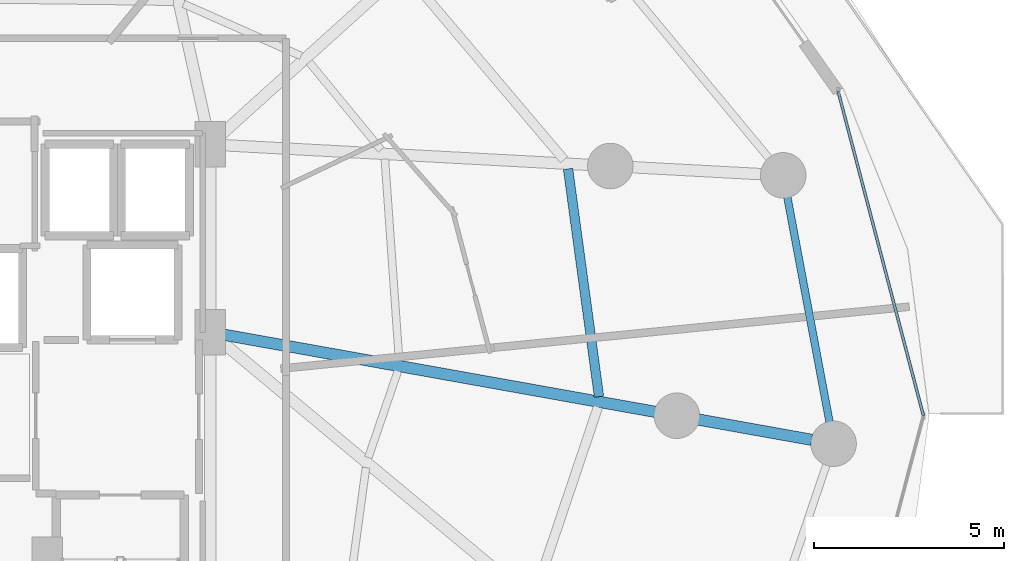
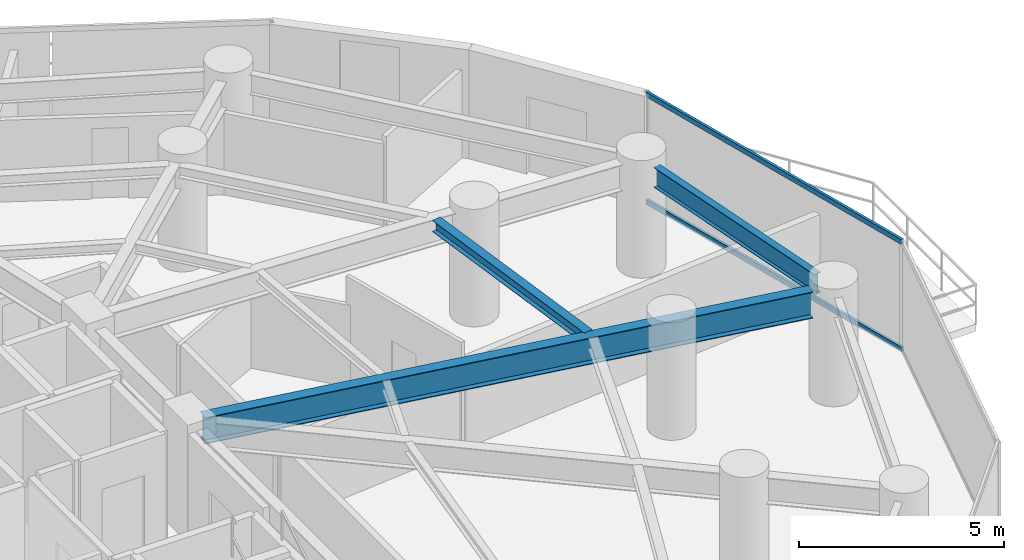
# One storey, part 14 of 30: 3 beams, 2 members, 1 element without a shape of its own.
"""IFC4 building model written with IfcOpenShell, lengths in metres."""

from ifc_helpers import new_model, si_unit, direction, frame, origin, origin_2d, place, context, subcontext, project, spatial, hollow_rectangle, i_section, extrude, material, material_profile, profile_set, type_object, element, aggregate, save


model = new_model("IFC4")

# Units and contexts
model_context = context("Model", 3, precision=1e-05, world=origin(), true_north=direction((0.0, 1.0)))
body_context = subcontext(model_context, "Body", "Model", "MODEL_VIEW")
ifc_project = project(units=[si_unit("LENGTHUNIT", "METRE"), si_unit("AREAUNIT", "SQUARE_METRE"), si_unit("VOLUMEUNIT", "CUBIC_METRE"), si_unit("PLANEANGLEUNIT", "RADIAN"), si_unit("MASSUNIT", "GRAM", prefix="KILO")], contexts=[model_context])

# Site, building, storey
site_placement = place(None, origin())
site = spatial("IfcSite", under=ifc_project, at=site_placement, CompositionType="ELEMENT")
building_placement = place(site_placement, origin())
building = spatial("IfcBuilding", under=site, at=building_placement, Name="Vorneva Point Tower", CompositionType="ELEMENT")
storey_placement = place(building_placement, frame((0.0, 0.0, 55.5)))
storey = spatial("IfcBuildingStorey", under=building, at=storey_placement, Name="L14", CompositionType="ELEMENT", Elevation=55.5)

# Beams
ifc_material_1 = material(Name="Steel S355", Category="steel")
ifc_material_profile_1 = material_profile(ifc_material_1, i_section(OverallWidth=0.300048828125, OverallDepth=0.7880859375, WebThickness=0.014404296875, FlangeThickness=0.02197265625, at=origin_2d()), Name="80Sh1")
ifc_profile_set_1 = profile_set([ifc_material_profile_1], Name="Steel S355")
beam_type_1 = type_object("IfcBeamType", Name="BM-GRD-80Sh1", PredefinedType="USERDEFINED", material=ifc_profile_set_1)
beam_1_placement = place(storey_placement, frame((64.603271484375, 25.364501953125, 2.845947265625), z_axis=(-0.984378532035, 0.176065060895, 0.0), x_axis=(-0.176065060895, -0.984378532035, 0.0)))
element("IfcBeam", 1, at=beam_1_placement, inside=storey, type_object=beam_type_1, Name="L14 Radial Primary Girder 01", ObjectType="GIRDER", PredefinedType="USERDEFINED", context=body_context, shape_type="SweptSolid", body=[
    extrude(i_section(OverallWidth=0.300048828125, OverallDepth=0.7880859375, WebThickness=0.014404296875, FlangeThickness=0.02197265625, at=origin_2d()), origin(), (0.0, 0.0, 1.0), 15.764892578125),
])
ifc_material_profile_2 = material_profile(ifc_material_1, i_section(OverallWidth=0.2490234375, OverallDepth=0.333984375, WebThickness=0.008056640625, FlangeThickness=0.010986328125, at=origin_2d()), Name="35Sh1")
ifc_profile_set_2 = profile_set([ifc_material_profile_2], Name="Steel S355")
beam_type_2 = type_object("IfcBeamType", Name="BM-SEC-35Sh1", PredefinedType="BEAM", material=ifc_profile_set_2)
beam_2_placement = place(storey_placement, frame((58.998046875, 26.50048828125, 3.072998046875), z_axis=(-0.134656627262, 0.990892321463, 0.0), x_axis=(-0.990892321463, -0.134656627262, 0.0)))
element("IfcBeam", 2, at=beam_2_placement, inside=storey, type_object=beam_type_2, Name="L14 Secondary Floor Beam 1.01", PredefinedType="BEAM", context=body_context, shape_type="SweptSolid", body=[
    extrude(i_section(OverallWidth=0.2490234375, OverallDepth=0.333984375, WebThickness=0.008056640625, FlangeThickness=0.010986328125, at=origin_2d()), origin(), (0.0, 0.0, 1.0), 6.06103515625),
])
ifc_material_profile_3 = material_profile(ifc_material_1, i_section(OverallWidth=0.198974609375, OverallDepth=0.595947265625, WebThickness=0.010009765625, FlangeThickness=0.014892578125, at=origin_2d()), Name="60B1")
ifc_profile_set_3 = profile_set([ifc_material_profile_3], Name="Steel S355")
beam_type_3 = type_object("IfcBeamType", Name="BM-SPN-60B1", PredefinedType="SPANDREL", material=ifc_profile_set_3)
beam_3_placement = place(storey_placement, frame((65.07421875, 25.8359375, 2.94189453125), z_axis=(-0.184405887522, 0.982850176094, 0.0), x_axis=(-0.982850176094, -0.184405887522, 0.0)))
element("IfcBeam", 3, at=beam_3_placement, inside=storey, type_object=beam_type_3, Name="L14 Perimeter Spandrel Ring Beam 01", PredefinedType="SPANDREL", context=body_context, shape_type="SweptSolid", body=[
    extrude(i_section(OverallWidth=0.198974609375, OverallDepth=0.595947265625, WebThickness=0.010009765625, FlangeThickness=0.014892578125, at=origin_2d()), origin(), (0.0, 0.0, 1.0), 6.029296875),
])

# Curtain wall, members
ifc_material_2 = material(Name="Pale anodised aluminium", Category="aluminium")
curtain_wall_type = type_object("IfcCurtainWallType", Name="CW-HTL-SYS", PredefinedType="NOTDEFINED", material=ifc_material_2)
curtain_wall_placement = place(storey_placement, origin())
curtain_wall = element("IfcCurtainWall", 4, at=curtain_wall_placement, inside=storey, type_object=curtain_wall_type, Name="L14 Unitised Curtain Wall CW-L14-R01", PredefinedType="NOTDEFINED")
ifc_material_profile_4 = material_profile(ifc_material_2, hollow_rectangle(XDim=0.074951171875, YDim=0.14990234375, WallThickness=0.00390625, at=origin_2d()), Name="AL-TRN 150x75x4")
ifc_profile_set_4 = profile_set([ifc_material_profile_4], Name="Pale anodised aluminium")
member_type = type_object("IfcMemberType", Name="CW-TRN-150", PredefinedType="USERDEFINED", material=ifc_profile_set_4)
member_1_placement = place(storey_placement, frame((67.550048828125, 26.0, 0.02001953125), z_axis=(-0.254358772746, 0.967109928978, 0.0), x_axis=(-0.967109928978, -0.254358772746, 0.0)))
member_1 = element("IfcMember", 5, at=member_1_placement, type_object=member_type, Name="CW-L14-R01 Transom 03.1", ObjectType="TRANSOM", PredefinedType="USERDEFINED", context=body_context, shape_type="SweptSolid", body=[
    extrude(hollow_rectangle(XDim=0.074951171875, YDim=0.14990234375, WallThickness=0.00390625, at=origin_2d()), origin(), (0.0, 0.0, 1.0), 8.84375),
])
member_2_placement = place(storey_placement, frame((67.550048828125, 26.0, 3.219970703125), z_axis=(-0.254358772746, 0.967109928978, 0.0), x_axis=(-0.967109928978, -0.254358772746, 0.0)))
member_2 = element("IfcMember", 6, at=member_2_placement, type_object=member_type, Name="CW-L14-R01 Transom 03.2", ObjectType="TRANSOM", PredefinedType="USERDEFINED", context=body_context, shape_type="SweptSolid", body=[
    extrude(hollow_rectangle(XDim=0.074951171875, YDim=0.14990234375, WallThickness=0.00390625, at=origin_2d()), origin(), (0.0, 0.0, 1.0), 8.84375),
])
aggregate(curtain_wall, [member_1, member_2])

save(model, "model.ifc")
